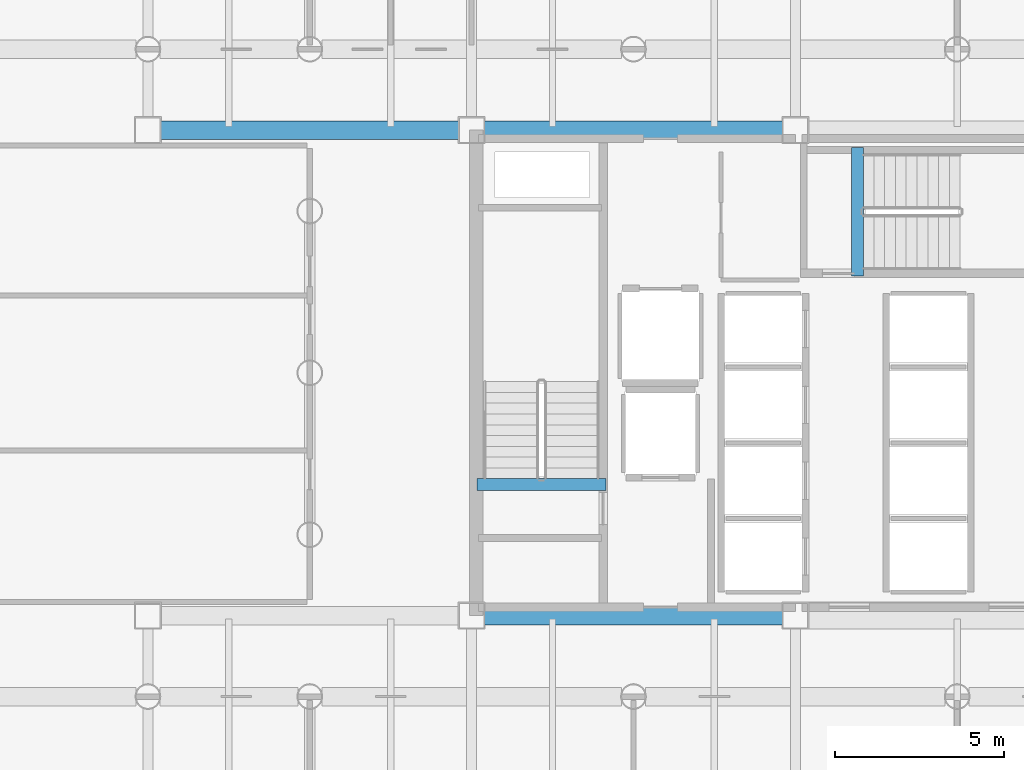
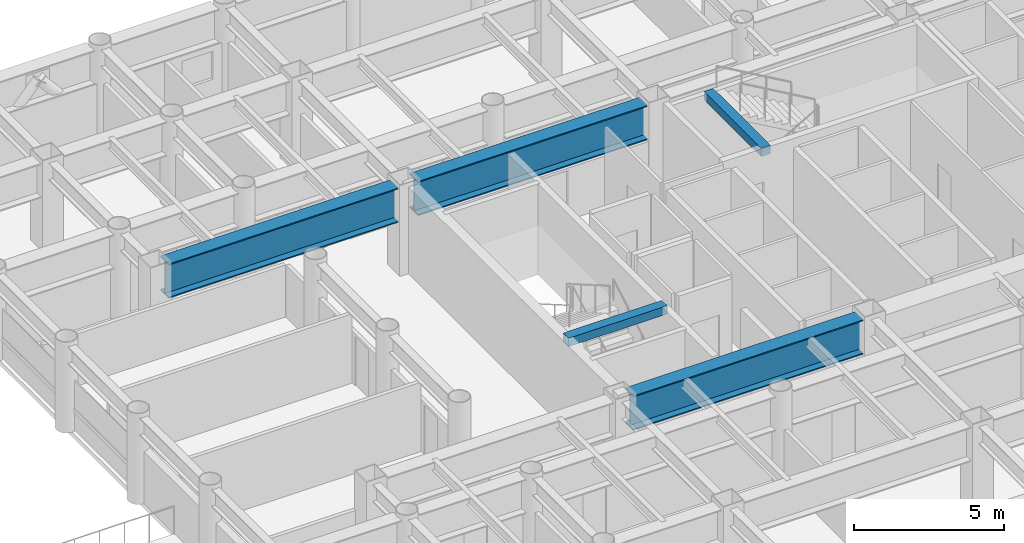
# One storey, part 5 of 22: 5 beams.
"""IFC4 building model written with IfcOpenShell, lengths in metres."""

from ifc_helpers import new_model, si_unit, direction, frame, origin, origin_2d, place, context, subcontext, project, spatial, rectangle, i_section, extrude, material, material_profile, profile_set, type_object, element, save


model = new_model("IFC4")

# Units and contexts
model_context = context("Model", 3, precision=1e-05, world=origin(), true_north=direction((0.0, 1.0)))
body_context = subcontext(model_context, "Body", "Model", "MODEL_VIEW")
ifc_project = project(units=[si_unit("LENGTHUNIT", "METRE"), si_unit("AREAUNIT", "SQUARE_METRE"), si_unit("VOLUMEUNIT", "CUBIC_METRE"), si_unit("PLANEANGLEUNIT", "RADIAN"), si_unit("MASSUNIT", "GRAM", prefix="KILO")], contexts=[model_context])

# Site, building, storey
site_placement = place(None, origin())
site = spatial("IfcSite", under=ifc_project, at=site_placement, CompositionType="ELEMENT")
building_placement = place(site_placement, origin())
building = spatial("IfcBuilding", under=site, at=building_placement, Name="Kallvorn Hotel Tower", CompositionType="ELEMENT")
storey_placement = place(building_placement, frame((0.0, 0.0, 59.60009765625)))
storey = spatial("IfcBuildingStorey", under=building, at=storey_placement, Name="L13", CompositionType="ELEMENT", Elevation=59.60009765625)

# Beams
ifc_material_1 = material(Name="Structural steel S355JR", Category="steel")
ifc_material_profile_1 = material_profile(ifc_material_1, i_section(OverallWidth=0.550048828125, OverallDepth=1.39990234375, WebThickness=0.02490234375, FlangeThickness=0.044921875, at=origin_2d()), Name="PG 1400x550x25x45")
ifc_profile_set_1 = profile_set([ifc_material_profile_1], Name="Structural steel S355JR")
beam_type_1 = type_object("IfcBeamType", Name="BM_PG_1400", PredefinedType="BEAM", material=ifc_profile_set_1)
beam_1_placement = place(storey_placement, frame((-14.02490234375, -7.199951171875, 2.81982421875), z_axis=(1.0, 0.0, 0.0), x_axis=(0.0, 1.0, 0.0)))
element("IfcBeam", 1, at=beam_1_placement, inside=storey, type_object=beam_type_1, Name="L14 Primary X-Girder 34", PredefinedType="BEAM", context=body_context, shape_type="SweptSolid", body=[
    extrude(i_section(OverallWidth=0.550048828125, OverallDepth=1.39990234375, WebThickness=0.02490234375, FlangeThickness=0.044921875, at=origin_2d()), origin(), (0.0, 0.0, 1.0), 8.849853515625),
])
beam_2_placement = place(storey_placement, frame((-23.625, 7.199951171875, 2.81982421875), z_axis=(1.0, 0.0, 0.0), x_axis=(0.0, 1.0, 0.0)))
element("IfcBeam", 2, at=beam_2_placement, inside=storey, type_object=beam_type_1, Name="L14 Primary X-Girder 37", PredefinedType="BEAM", context=body_context, shape_type="SweptSolid", body=[
    extrude(i_section(OverallWidth=0.550048828125, OverallDepth=1.39990234375, WebThickness=0.02490234375, FlangeThickness=0.044921875, at=origin_2d()), origin(), (0.0, 0.0, 1.0), 8.85009765625),
])
beam_3_placement = place(storey_placement, frame((-14.02490234375, 7.199951171875, 2.81982421875), z_axis=(1.0, 0.0, 0.0), x_axis=(0.0, 1.0, 0.0)))
element("IfcBeam", 3, at=beam_3_placement, inside=storey, type_object=beam_type_1, Name="L14 Primary X-Girder 38", PredefinedType="BEAM", context=body_context, shape_type="SweptSolid", body=[
    extrude(i_section(OverallWidth=0.550048828125, OverallDepth=1.39990234375, WebThickness=0.02490234375, FlangeThickness=0.044921875, at=origin_2d()), origin(), (0.0, 0.0, 1.0), 8.849853515625),
])
ifc_material_2 = material(Name="Concrete C50/60", Category="concrete")
ifc_material_profile_2 = material_profile(ifc_material_2, rectangle(XDim=0.360107421875, YDim=0.340087890625, at=origin_2d()), Name="RC 360x340")
ifc_profile_set_2 = profile_set([ifc_material_profile_2], Name="Concrete C50/60")
beam_type_2 = type_object("IfcBeamType", Name="BM_RC_400x360", PredefinedType="BEAM", material=ifc_profile_set_2)
beam_4_placement = place(storey_placement, frame((-10.419921875, -3.31005859375, 3.349853515625), z_axis=(-1.0, 0.0, 0.0), x_axis=(0.0, -1.0, 0.0)))
element("IfcBeam", 4, at=beam_4_placement, inside=storey, type_object=beam_type_2, Name="L14 Stair ST1 Arrival Trimmer Beam", PredefinedType="BEAM", context=body_context, shape_type="SweptSolid", body=[
    extrude(rectangle(XDim=0.360107421875, YDim=0.340087890625, at=origin_2d()), origin(), (0.0, 0.0, 1.0), 3.820068359375),
])
beam_5_placement = place(storey_placement, frame((-2.9599609375, 2.8701171875, 3.349853515625), z_axis=(0.0, 1.0, 0.0), x_axis=(-1.0, 0.0, 0.0)))
element("IfcBeam", 5, at=beam_5_placement, inside=storey, type_object=beam_type_2, Name="L14 Stair ST3 Arrival Trimmer Beam", PredefinedType="BEAM", context=body_context, shape_type="SweptSolid", body=[
    extrude(rectangle(XDim=0.360107421875, YDim=0.340087890625, at=origin_2d()), origin(), (0.0, 0.0, 1.0), 3.81982421875),
])

save(model, "model.ifc")
